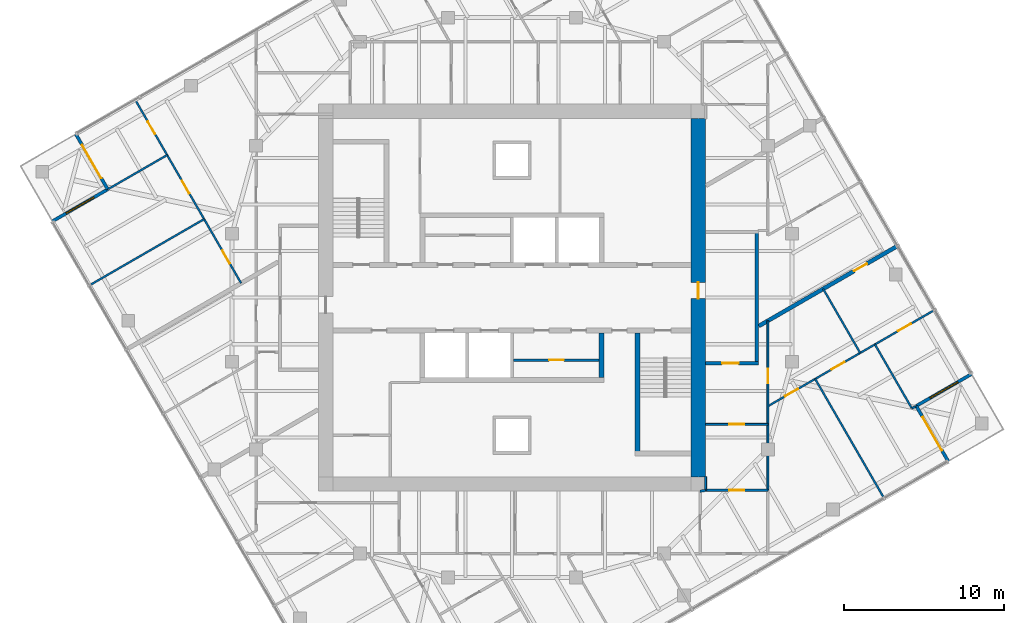
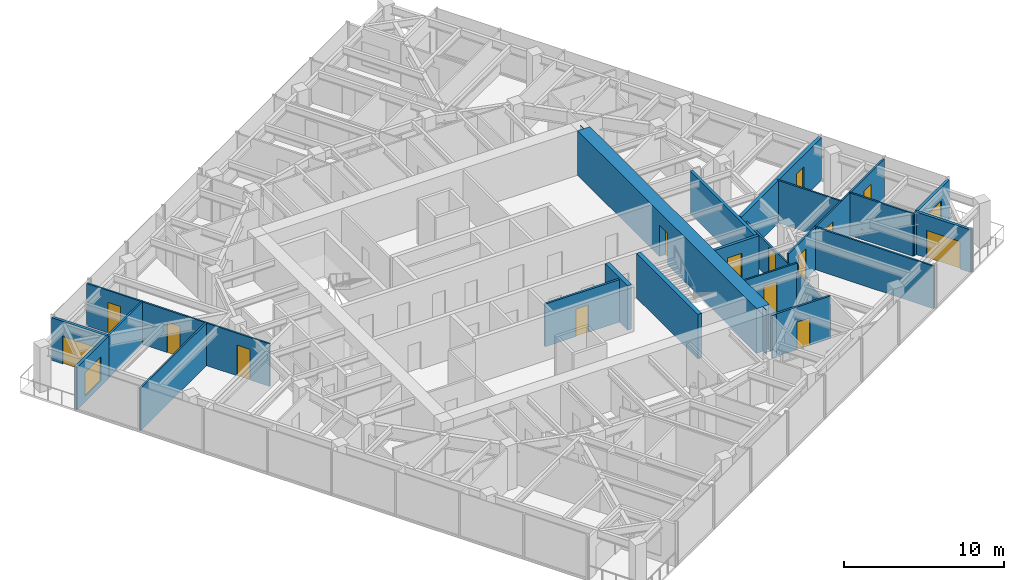
# One storey, part 9 of 12: 24 walls, 15 doors, 2 windows, 17 openings.
"""IFC4 building model written with IfcOpenShell, lengths in metres."""

from ifc_helpers import new_model, si_unit, direction, frame, frame_2d, origin, place, context, subcontext, project, spatial, polyline, rectangle, outline, extrude, material, layer, layer_set, type_object, element, fill, save


model = new_model("IFC4")

# Units and contexts
model_context = context("Model", 3, precision=1e-05, world=origin(), true_north=direction((0.0, 1.0)))
body_context = subcontext(model_context, "Body", "Model", "MODEL_VIEW")
ifc_project = project(units=[si_unit("LENGTHUNIT", "METRE"), si_unit("AREAUNIT", "SQUARE_METRE"), si_unit("VOLUMEUNIT", "CUBIC_METRE"), si_unit("PLANEANGLEUNIT", "RADIAN"), si_unit("MASSUNIT", "GRAM", prefix="KILO")], contexts=[model_context])

# Site, building, storey
site_placement = place(None, origin())
site = spatial("IfcSite", under=ifc_project, at=site_placement, CompositionType="ELEMENT")
building_placement = place(site_placement, origin())
building = spatial("IfcBuilding", under=site, at=building_placement, Name="Torsade Residences", CompositionType="ELEMENT")
storey_placement = place(building_placement, frame((0.0, 0.0, 218.39990234375)))
storey = spatial("IfcBuildingStorey", under=building, at=storey_placement, Name="L60", CompositionType="ELEMENT", Elevation=218.39990234375)

# Walls
ifc_material_1 = material(Name="Concrete 80 MPa", Category="concrete")
ifc_layer_1 = layer(ifc_material_1, 0.300048828125)
ifc_layer_set_1 = layer_set([ifc_layer_1], Name="Concrete 80 MPa")
wall_type_1 = type_object("IfcWallType", Name="CORE INTERNAL WALL 300", PredefinedType="SHEAR", material=ifc_layer_set_1)
wall_1_placement = place(storey_placement, frame((45.60009765625, 27.800048828125, 0.0), z_axis=(0.0, 0.0, 1.0), x_axis=(0.0, -1.0, 0.0)))
element("IfcWall", 1, at=wall_1_placement, inside=storey, type_object=wall_type_1, Name="Core wall DS0 L60", PredefinedType="SHEAR", context=body_context, shape_type="SweptSolid", body=[
    extrude(rectangle(XDim=2.800048828125, YDim=0.300048828125, at=frame_2d((1.39990234375, 0.0))), origin(), (0.0, 0.0, 1.0), 3.400146484375),
])
wall_2_placement = place(storey_placement, frame((47.85009765625, 27.800048828125, 0.0), z_axis=(0.0, 0.0, 1.0), x_axis=(0.0, -1.0, 0.0)))
element("IfcWall", 2, at=wall_2_placement, inside=storey, type_object=wall_type_1, Name="Core wall ST2W L60", PredefinedType="SHEAR", context=body_context, shape_type="SweptSolid", body=[
    extrude(rectangle(XDim=7.699951171875, YDim=0.300048828125, at=frame_2d((3.85009765625, 0.0))), origin(), (0.0, 0.0, 1.0), 3.400146484375),
])

# Wall, opening, door
ifc_material_2 = material(Name="Concrete 80 MPa", Category="concrete")
ifc_layer_2 = layer(ifc_material_2, 0.89990234375)
ifc_layer_set_2 = layer_set([ifc_layer_2], Name="Concrete 80 MPa")
wall_type_2 = type_object("IfcWallType", Name="CORE WALL 900", PredefinedType="SHEAR", material=ifc_layer_set_2)
wall_3_placement = place(storey_placement, frame((51.64990234375, 18.800048828125, 0.0), z_axis=(0.0, 0.0, 1.0), x_axis=(0.0, 1.0, 0.0)))
wall_3 = element("IfcWall", 3, at=wall_3_placement, inside=storey, type_object=wall_type_2, Name="Core wall E L60", PredefinedType="SHEAR", context=body_context, shape_type="SweptSolid", body=[
    extrude(outline(polyline([(0.0, -0.449951171875), (22.39990234375, -0.449951171875), (22.39990234375, -0.02490234375), (22.849853515625, -0.02490234375), (22.849853515625, 0.02490234375), (22.39990234375, 0.02490234375), (22.39990234375, 0.449951171875), (0.0, 0.449951171875), (0.0, 0.02490234375), (-0.449951171875, 0.02490234375), (-0.449951171875, -0.02490234375), (0.0, -0.02490234375), (0.0, -0.449951171875)])), origin(), (0.0, 0.0, 1.0), 3.400146484375),
])
opening_1_placement = place(wall_3_placement, frame((11.139892578125, 0.0, 0.0)))
opening_1 = element("IfcOpeningElement", 4, at=opening_1_placement, cuts=wall_3, Name="Opening D04", PredefinedType="OPENING", context=body_context, shape_type="SweptSolid", body=[
    extrude(rectangle(XDim=1.02001953125, YDim=2.39990234375, at=frame_2d((0.510009765625, 1.199951171875))), frame((0.0, 0.4599609375, 0.0), z_axis=(0.0, -1.0, 0.0), x_axis=(1.0, 0.0, 0.0)), (0.0, 0.0, 1.0), 0.919921875),
])
ifc_material_3 = material(Name="Steel-framed fire door", Category="steel")
door_type_1 = type_object("IfcDoorType", Name="LOBBY SMOKE DOOR 1020x2400", OperationType="NOTDEFINED", PredefinedType="DOOR", material=ifc_material_3)
door_1_placement = place(opening_1_placement, origin())
door_1 = element("IfcDoor", 5, at=door_1_placement, inside=storey, type_object=door_type_1, Name="Lift lobby door E L60", OperationType="SINGLE_SWING_LEFT", OverallHeight=2.39990234375, OverallWidth=1.02001953125, PredefinedType="DOOR", context=body_context, shape_type="SweptSolid", body=[
    extrude(rectangle(XDim=1.02001953125, YDim=2.39990234375, at=frame_2d((0.510009765625, 1.199951171875))), frame((0.0, 0.02490234375, 0.0), z_axis=(0.0, -1.0, 0.0), x_axis=(1.0, 0.0, 0.0)), (0.0, 0.0, 1.0), 0.050048828125),
])
fill(opening_1, door_1)

# Wall
ifc_material_4 = material(Name="Plasterboard on steel stud", Category="steel")
ifc_layer_3 = layer(ifc_material_4, 0.199951171875)
ifc_layer_set_3 = layer_set([ifc_layer_3], Name="Plasterboard on steel stud")
wall_type_3 = type_object("IfcWallType", Name="CORRIDOR WALL 200", PredefinedType="PARTITIONING", material=ifc_layer_set_3)
wall_4_placement = place(storey_placement, frame((55.300048828125, 25.89990234375, 0.0), z_axis=(0.0, 0.0, 1.0), x_axis=(0.0, 1.0, 0.0)))
element("IfcWall", 6, at=wall_4_placement, inside=storey, type_object=wall_type_3, Name="Corridor wall L60", PredefinedType="PARTITIONING", context=body_context, shape_type="SweptSolid", body=[
    extrude(rectangle(XDim=8.2001953125, YDim=0.199951171875, at=frame_2d((4.10009765625, 0.0))), origin(), (0.0, 0.0, 1.0), 3.25),
])

# Wall, opening, door
wall_5_placement = place(storey_placement, frame((52.10009765625, 25.89990234375, 0.0), z_axis=(0.0, 0.0, 1.0), x_axis=(1.0, 0.0, 0.0)))
wall_5 = element("IfcWall", 7, at=wall_5_placement, inside=storey, type_object=wall_type_3, Name="Corridor wall L60", PredefinedType="PARTITIONING", context=body_context, shape_type="SweptSolid", body=[
    extrude(rectangle(XDim=3.2998046875, YDim=0.199951171875, at=frame_2d((1.64990234375, 0.0))), origin(), (0.0, 0.0, 1.0), 3.25),
])
opening_2_placement = place(wall_5_placement, frame((1.0400390625, 0.0, 0.0)))
opening_2 = element("IfcOpeningElement", 8, at=opening_2_placement, cuts=wall_5, Name="Opening D01", PredefinedType="OPENING", context=body_context, shape_type="SweptSolid", body=[
    extrude(rectangle(XDim=1.02001953125, YDim=2.340087890625, at=frame_2d((0.510009765625, 1.169921875))), frame((0.0, 0.10986328125, 0.0), z_axis=(0.0, -1.0, 0.0), x_axis=(1.0, 0.0, 0.0)), (0.0, 0.0, 1.0), 0.219970703125),
])
ifc_material_5 = material(Name="Solid-core timber fire door", Category="wood")
door_type_2 = type_object("IfcDoorType", Name="APARTMENT ENTRY DOOR 1020x2340", OperationType="NOTDEFINED", PredefinedType="DOOR", material=ifc_material_5)
door_2_placement = place(opening_2_placement, origin())
door_2 = element("IfcDoor", 9, at=door_2_placement, inside=storey, type_object=door_type_2, Name="Door Residential corridor to Kitchen and dining", OperationType="SINGLE_SWING_LEFT", OverallHeight=2.340087890625, OverallWidth=1.02001953125, PredefinedType="DOOR", context=body_context, shape_type="SweptSolid", body=[
    extrude(rectangle(XDim=1.02001953125, YDim=2.340087890625, at=frame_2d((0.510009765625, 1.169921875))), frame((0.0, 0.02490234375, 0.0), z_axis=(0.0, -1.0, 0.0), x_axis=(1.0, 0.0, 0.0)), (0.0, 0.0, 1.0), 0.050048828125),
])
fill(opening_2, door_2)

ifc_material_6 = material(Name="Plasterboard on steel stud", Category="steel")
ifc_layer_4 = layer(ifc_material_6, 0.1201171875)
ifc_layer_set_4 = layer_set([ifc_layer_4], Name="Plasterboard on steel stud")
wall_type_4 = type_object("IfcWallType", Name="PARTITION 120", PredefinedType="PARTITIONING", material=ifc_layer_set_4)
wall_6_placement = place(storey_placement, frame((56.0, 22.08251953125, 0.0), z_axis=(0.0, 0.0, 1.0), x_axis=(-1.0, 0.0, 0.0)))
wall_6 = element("IfcWall", 10, at=wall_6_placement, inside=storey, type_object=wall_type_4, Name="Partition L60", PredefinedType="PARTITIONING", context=body_context, shape_type="SweptSolid", body=[
    extrude(rectangle(XDim=3.89990234375, YDim=0.1201171875, at=frame_2d((1.949951171875, 0.0))), origin(), (0.0, 0.0, 1.0), 3.25),
])
opening_3_placement = place(wall_6_placement, frame((1.489990234375, 0.0, 0.0)))
opening_3 = element("IfcOpeningElement", 11, at=opening_3_placement, cuts=wall_6, Name="Opening D02", PredefinedType="OPENING", context=body_context, shape_type="SweptSolid", body=[
    extrude(rectangle(XDim=0.919921875, YDim=2.340087890625, at=frame_2d((0.4599609375, 1.169921875))), frame((0.0, 0.070068359375, 0.0), z_axis=(0.0, -1.0, 0.0), x_axis=(1.0, 0.0, 0.0)), (0.0, 0.0, 1.0), 0.14013671875),
])
ifc_material_7 = material(Name="Hollow-core timber door", Category="wood")
door_type_3 = type_object("IfcDoorType", Name="INTERNAL DOOR 920x2340", OperationType="NOTDEFINED", PredefinedType="DOOR", material=ifc_material_7)
door_3_placement = place(opening_3_placement, origin())
door_3 = element("IfcDoor", 12, at=door_3_placement, inside=storey, type_object=door_type_3, Name="Door Kitchen and dining to Study", OperationType="SINGLE_SWING_LEFT", OverallHeight=2.340087890625, OverallWidth=0.919921875, PredefinedType="DOOR", context=body_context, shape_type="SweptSolid", body=[
    extrude(rectangle(XDim=0.919921875, YDim=2.340087890625, at=frame_2d((0.4599609375, 1.169921875))), frame((0.0, 0.02490234375, 0.0), z_axis=(0.0, -1.0, 0.0), x_axis=(1.0, 0.0, 0.0)), (0.0, 0.0, 1.0), 0.050048828125),
])
fill(opening_3, door_3)

wall_7_placement = place(storey_placement, frame((56.0, 28.556640625, 0.0), z_axis=(0.0, 0.0, 1.0), x_axis=(0.0, -1.0, 0.0)))
wall_7 = element("IfcWall", 13, at=wall_7_placement, inside=storey, type_object=wall_type_4, Name="Partition L60", PredefinedType="PARTITIONING", context=body_context, shape_type="SweptSolid", body=[
    extrude(rectangle(XDim=10.6005859375, YDim=0.1201171875, at=frame_2d((5.30029296875, 0.0))), origin(), (0.0, 0.0, 1.0), 2.550048828125),
])
opening_4_placement = place(wall_7_placement, frame((2.989013671875, 0.0, 0.0)))
opening_4 = element("IfcOpeningElement", 14, at=opening_4_placement, cuts=wall_7, Name="Opening D02", PredefinedType="OPENING", context=body_context, shape_type="SweptSolid", body=[
    extrude(rectangle(XDim=0.919921875, YDim=2.340087890625, at=frame_2d((0.4599609375, 1.169921875))), frame((0.0, 0.070068359375, 0.0), z_axis=(0.0, -1.0, 0.0), x_axis=(1.0, 0.0, 0.0)), (0.0, 0.0, 1.0), 0.14013671875),
])
door_4_placement = place(opening_4_placement, origin())
door_4 = element("IfcDoor", 15, at=door_4_placement, inside=storey, type_object=door_type_3, Name="Door Kitchen and dining to Living room 2", OperationType="SINGLE_SWING_RIGHT", OverallHeight=2.340087890625, OverallWidth=0.919921875, PredefinedType="DOOR", context=body_context, shape_type="SweptSolid", body=[
    extrude(rectangle(XDim=0.919921875, YDim=2.340087890625, at=frame_2d((0.4599609375, 1.169921875))), frame((0.0, 0.02490234375, 0.0), z_axis=(0.0, -1.0, 0.0), x_axis=(1.0, 0.0, 0.0)), (0.0, 0.0, 1.0), 0.050048828125),
])
fill(opening_4, door_4)

# Walls
wall_8_placement = place(storey_placement, frame((52.10009765625, 17.9560546875, 0.0), z_axis=(0.0, 0.0, 1.0), x_axis=(0.0, 1.0, 0.0)))
element("IfcWall", 16, at=wall_8_placement, inside=storey, type_object=wall_type_4, Name="Partition L60", PredefinedType="PARTITIONING", context=body_context, shape_type="SweptSolid", body=[
    extrude(rectangle(XDim=0.864013671875, YDim=0.1201171875, at=frame_2d((0.43212890625, 0.0))), origin(), (0.0, 0.0, 1.0), 3.25),
])
wall_9_placement = place(storey_placement, frame((58.95361328125, 24.92138671875, 0.0), z_axis=(0.0, 0.0, 1.0), x_axis=(0.49999898161, -0.866025991751, 0.0)))
element("IfcWall", 17, at=wall_9_placement, inside=storey, type_object=wall_type_4, Name="Partition L60", PredefinedType="PARTITIONING", context=body_context, shape_type="SweptSolid", body=[
    extrude(rectangle(XDim=8.5849609375, YDim=0.1201171875, at=frame_2d((4.29248046875, 0.0))), origin(), (0.0, 0.0, 1.0), 3.25),
])

# Wall, openings, doors
wall_10_placement = place(storey_placement, frame((56.0, 23.216064453125, 0.0), z_axis=(0.0, 0.0, 1.0), x_axis=(0.866023917076, 0.500002575046, 0.0)))
wall_10 = element("IfcWall", 18, at=wall_10_placement, inside=storey, type_object=wall_type_4, Name="Partition L60", PredefinedType="PARTITIONING", context=body_context, shape_type="SweptSolid", body=[
    extrude(rectangle(XDim=11.99560546875, YDim=0.1201171875, at=frame_2d((5.997802734375, 0.0))), origin(), (0.0, 0.0, 1.0), 3.25),
])
opening_5_placement = place(wall_10_placement, frame((1.245361328125, 0.0, 0.0)))
opening_5 = element("IfcOpeningElement", 19, at=opening_5_placement, cuts=wall_10, Name="Opening D02", PredefinedType="OPENING", context=body_context, shape_type="SweptSolid", body=[
    extrude(rectangle(XDim=0.919921875, YDim=2.340087890625, at=frame_2d((0.4599609375, 1.169921875))), frame((0.0, 0.070068359375, 0.0), z_axis=(0.0, -1.0, 0.0), x_axis=(1.0, 0.0, 0.0)), (0.0, 0.0, 1.0), 0.14013671875),
])
opening_6_placement = place(wall_10_placement, frame((4.59912109375, 0.0, 0.0)))
opening_6 = element("IfcOpeningElement", 20, at=opening_6_placement, cuts=wall_10, Name="Opening D02", PredefinedType="OPENING", context=body_context, shape_type="SweptSolid", body=[
    extrude(rectangle(XDim=0.919921875, YDim=2.340087890625, at=frame_2d((0.4599609375, 1.169921875))), frame((0.0, 0.070068359375, 0.0), z_axis=(0.0, -1.0, 0.0), x_axis=(1.0, 0.0, 0.0)), (0.0, 0.0, 1.0), 0.14013671875),
])
opening_7_placement = place(wall_10_placement, frame((9.394287109375, 0.0, 0.0)))
opening_7 = element("IfcOpeningElement", 21, at=opening_7_placement, cuts=wall_10, Name="Opening D02", PredefinedType="OPENING", context=body_context, shape_type="SweptSolid", body=[
    extrude(rectangle(XDim=0.919921875, YDim=2.340087890625, at=frame_2d((0.4599609375, 1.169921875))), frame((0.0, 0.070068359375, 0.0), z_axis=(0.0, -1.0, 0.0), x_axis=(1.0, 0.0, 0.0)), (0.0, 0.0, 1.0), 0.14013671875),
])
door_5_placement = place(opening_5_placement, origin())
door_5 = element("IfcDoor", 22, at=door_5_placement, inside=storey, type_object=door_type_3, Name="Door Living room 2 to Principal bedroom", OperationType="SINGLE_SWING_RIGHT", OverallHeight=2.340087890625, OverallWidth=0.919921875, PredefinedType="DOOR", context=body_context, shape_type="SweptSolid", body=[
    extrude(rectangle(XDim=0.919921875, YDim=2.340087890625, at=frame_2d((0.4599609375, 1.169921875))), frame((0.0, 0.02490234375, 0.0), z_axis=(0.0, -1.0, 0.0), x_axis=(1.0, 0.0, 0.0)), (0.0, 0.0, 1.0), 0.050048828125),
])
fill(opening_5, door_5)
door_6_placement = place(opening_6_placement, origin())
door_6 = element("IfcDoor", 23, at=door_6_placement, inside=storey, type_object=door_type_3, Name="Door Living room 2 to Bedroom 2", OperationType="SINGLE_SWING_RIGHT", OverallHeight=2.340087890625, OverallWidth=0.919921875, PredefinedType="DOOR", context=body_context, shape_type="SweptSolid", body=[
    extrude(rectangle(XDim=0.919921875, YDim=2.340087890625, at=frame_2d((0.4599609375, 1.169921875))), frame((0.0, 0.02490234375, 0.0), z_axis=(0.0, -1.0, 0.0), x_axis=(1.0, 0.0, 0.0)), (0.0, 0.0, 1.0), 0.050048828125),
])
fill(opening_6, door_6)
door_7_placement = place(opening_7_placement, origin())
door_7 = element("IfcDoor", 24, at=door_7_placement, inside=storey, type_object=door_type_3, Name="Door Study 2 to Media room 2", OperationType="SINGLE_SWING_LEFT", OverallHeight=2.340087890625, OverallWidth=0.919921875, PredefinedType="DOOR", context=body_context, shape_type="SweptSolid", body=[
    extrude(rectangle(XDim=0.919921875, YDim=2.340087890625, at=frame_2d((0.4599609375, 1.169921875))), frame((0.0, 0.02490234375, 0.0), z_axis=(0.0, -1.0, 0.0), x_axis=(1.0, 0.0, 0.0)), (0.0, 0.0, 1.0), 0.050048828125),
])
fill(opening_7, door_7)

# Walls
wall_11_placement = place(storey_placement, frame((62.688232421875, 27.07763671875, 0.0), z_axis=(0.0, 0.0, 1.0), x_axis=(0.500007885066, -0.866020851292, 0.0)))
element("IfcWall", 25, at=wall_11_placement, inside=storey, type_object=wall_type_4, Name="Partition L60", PredefinedType="PARTITIONING", context=body_context, shape_type="SweptSolid", body=[
    extrude(rectangle(XDim=4.615234375, YDim=0.1201171875, at=frame_2d((2.3076171875, 0.0))), origin(), (0.0, 0.0, 1.0), 3.25),
])
wall_12_placement = place(storey_placement, frame((65.009521484375, 23.0771484375, 0.0), z_axis=(0.0, 0.0, 1.0), x_axis=(0.865829262097, 0.500339573586, 0.0)))
element("IfcWall", 26, at=wall_12_placement, inside=storey, type_object=wall_type_4, Name="Partition L60", PredefinedType="PARTITIONING", context=body_context, shape_type="SweptSolid", body=[
    extrude(rectangle(XDim=0.262451171875, YDim=0.1201171875, at=frame_2d((0.13134765625, 0.0))), origin(), (0.0, 0.0, 1.0), 3.25),
])
wall_13_placement = place(storey_placement, frame((61.765625, 26.544921875, 0.0), z_axis=(0.0, 0.0, 1.0), x_axis=(-0.499999662836, 0.866025598446, 0.0)))
element("IfcWall", 27, at=wall_13_placement, inside=storey, type_object=wall_type_4, Name="Partition L60", PredefinedType="PARTITIONING", context=body_context, shape_type="SweptSolid", body=[
    extrude(rectangle(XDim=4.625, YDim=0.1201171875, at=frame_2d((2.3125, 0.0))), origin(), (0.0, 0.0, 1.0), 3.25),
])

# Wall, openings, doors
wall_14_placement = place(storey_placement, frame((23.06689453125, 30.904541015625, 0.0), z_axis=(0.0, 0.0, 1.0), x_axis=(-0.499999220117, 0.86602585405, 0.0)))
wall_14 = element("IfcWall", 28, at=wall_14_placement, inside=storey, type_object=wall_type_4, Name="Partition L60", PredefinedType="PARTITIONING", context=body_context, shape_type="SweptSolid", body=[
    extrude(rectangle(XDim=13.2099609375, YDim=0.1201171875, at=frame_2d((6.60498046875, 0.0))), origin(), (0.0, 0.0, 1.0), 3.25),
])
opening_8_placement = place(wall_14_placement, frame((6.4775390625, 0.0, 0.0)))
opening_8 = element("IfcOpeningElement", 29, at=opening_8_placement, cuts=wall_14, Name="Opening D02", PredefinedType="OPENING", context=body_context, shape_type="SweptSolid", body=[
    extrude(rectangle(XDim=0.919921875, YDim=2.340087890625, at=frame_2d((0.4599609375, 1.169921875))), frame((0.0, 0.070068359375, 0.0), z_axis=(0.0, -1.0, 0.0), x_axis=(1.0, 0.0, 0.0)), (0.0, 0.0, 1.0), 0.14013671875),
])
opening_9_placement = place(wall_14_placement, frame((1.427490234375, 0.0, 0.0)))
opening_9 = element("IfcOpeningElement", 30, at=opening_9_placement, cuts=wall_14, Name="Opening D02", PredefinedType="OPENING", context=body_context, shape_type="SweptSolid", body=[
    extrude(rectangle(XDim=0.919921875, YDim=2.340087890625, at=frame_2d((0.4599609375, 1.169921875))), frame((0.0, 0.070068359375, 0.0), z_axis=(0.0, -1.0, 0.0), x_axis=(1.0, 0.0, 0.0)), (0.0, 0.0, 1.0), 0.14013671875),
])
opening_10_placement = place(wall_14_placement, frame((10.76513671875, 0.0, 0.0)))
opening_10 = element("IfcOpeningElement", 31, at=opening_10_placement, cuts=wall_14, Name="Opening D02", PredefinedType="OPENING", context=body_context, shape_type="SweptSolid", body=[
    extrude(rectangle(XDim=0.919921875, YDim=2.340087890625, at=frame_2d((0.4599609375, 1.169921875))), frame((0.0, 0.070068359375, 0.0), z_axis=(0.0, -1.0, 0.0), x_axis=(1.0, 0.0, 0.0)), (0.0, 0.0, 1.0), 0.14013671875),
])
door_8_placement = place(opening_8_placement, origin())
door_8 = element("IfcDoor", 32, at=door_8_placement, inside=storey, type_object=door_type_3, Name="Door Living room to Bedroom 4", OperationType="SINGLE_SWING_RIGHT", OverallHeight=2.340087890625, OverallWidth=0.919921875, PredefinedType="DOOR", context=body_context, shape_type="SweptSolid", body=[
    extrude(rectangle(XDim=0.919921875, YDim=2.340087890625, at=frame_2d((0.4599609375, 1.169921875))), frame((0.0, 0.02490234375, 0.0), z_axis=(0.0, -1.0, 0.0), x_axis=(1.0, 0.0, 0.0)), (0.0, 0.0, 1.0), 0.050048828125),
])
fill(opening_8, door_8)
door_9_placement = place(opening_9_placement, origin())
door_9 = element("IfcDoor", 33, at=door_9_placement, inside=storey, type_object=door_type_3, Name="Door Living room to Bedroom 3", OperationType="SINGLE_SWING_LEFT", OverallHeight=2.340087890625, OverallWidth=0.919921875, PredefinedType="DOOR", context=body_context, shape_type="SweptSolid", body=[
    extrude(rectangle(XDim=0.919921875, YDim=2.340087890625, at=frame_2d((0.4599609375, 1.169921875))), frame((0.0, 0.02490234375, 0.0), z_axis=(0.0, -1.0, 0.0), x_axis=(1.0, 0.0, 0.0)), (0.0, 0.0, 1.0), 0.050048828125),
])
fill(opening_9, door_9)
door_10_placement = place(opening_10_placement, origin())
door_10 = element("IfcDoor", 34, at=door_10_placement, inside=storey, type_object=door_type_3, Name="Door Living room to Family room 2", OperationType="SINGLE_SWING_LEFT", OverallHeight=2.340087890625, OverallWidth=0.919921875, PredefinedType="DOOR", context=body_context, shape_type="SweptSolid", body=[
    extrude(rectangle(XDim=0.919921875, YDim=2.340087890625, at=frame_2d((0.4599609375, 1.169921875))), frame((0.0, 0.02490234375, 0.0), z_axis=(0.0, -1.0, 0.0), x_axis=(1.0, 0.0, 0.0)), (0.0, 0.0, 1.0), 0.050048828125),
])
fill(opening_10, door_10)

# Walls
wall_15_placement = place(storey_placement, frame((13.611572265625, 30.7861328125, 0.0), z_axis=(0.0, 0.0, 1.0), x_axis=(0.866032284491, 0.499988082077, 0.0)))
element("IfcWall", 35, at=wall_15_placement, inside=storey, type_object=wall_type_4, Name="Partition L60", PredefinedType="PARTITIONING", context=body_context, shape_type="SweptSolid", body=[
    extrude(rectangle(XDim=8.247802734375, YDim=0.1201171875, at=frame_2d((4.1240234375, 0.0))), origin(), (0.0, 0.0, 1.0), 3.25),
])
wall_16_placement = place(storey_placement, frame((14.76318359375, 36.79150390625, 0.0), z_axis=(0.0, 0.0, 1.0), x_axis=(0.86603819212, 0.4999778493, 0.0)))
element("IfcWall", 36, at=wall_16_placement, inside=storey, type_object=wall_type_4, Name="Partition L60", PredefinedType="PARTITIONING", context=body_context, shape_type="SweptSolid", body=[
    extrude(rectangle(XDim=4.247802734375, YDim=0.1201171875, at=frame_2d((2.1240234375, 0.0))), origin(), (0.0, 0.0, 1.0), 3.25),
])

# Wall, opening, door
ifc_material_8 = material(Name="Masonry-lined stud party wall", Category="masonry")
ifc_layer_5 = layer(ifc_material_8, 0.25)
ifc_layer_set_5 = layer_set([ifc_layer_5], Name="Masonry-lined stud party wall")
wall_type_5 = type_object("IfcWallType", Name="PARTY WALL 250", PredefinedType="PARTITIONING", material=ifc_layer_set_5)
wall_17_placement = place(storey_placement, frame((64.110595703125, 33.2392578125, 0.0), z_axis=(0.0, 0.0, 1.0), x_axis=(-0.866024190901, -0.50000210077, 0.0)))
wall_17 = element("IfcWall", 37, at=wall_17_placement, inside=storey, type_object=wall_type_5, Name="Party wall L60", PredefinedType="PARTITIONING", context=body_context, shape_type="SweptSolid", body=[
    extrude(rectangle(XDim=10.02587890625, YDim=0.25, at=frame_2d((5.012939453125, 0.0))), origin(), (0.0, 0.0, 1.0), 3.25),
])
opening_11_placement = place(wall_17_placement, frame((2.22900390625, 0.0, 0.0)))
opening_11 = element("IfcOpeningElement", 38, at=opening_11_placement, cuts=wall_17, Name="Opening D02", PredefinedType="OPENING", context=body_context, shape_type="SweptSolid", body=[
    extrude(rectangle(XDim=0.919921875, YDim=2.340087890625, at=frame_2d((0.4599609375, 1.169921875))), frame((0.0, 0.135009765625, 0.0), z_axis=(0.0, -1.0, 0.0), x_axis=(1.0, 0.0, 0.0)), (0.0, 0.0, 1.0), 0.27001953125),
])
door_11_placement = place(opening_11_placement, origin())
door_11 = element("IfcDoor", 39, at=door_11_placement, inside=storey, type_object=door_type_3, Name="Door Living room 2 to Study 2", OperationType="SINGLE_SWING_RIGHT", OverallHeight=2.340087890625, OverallWidth=0.919921875, PredefinedType="DOOR", context=body_context, shape_type="SweptSolid", body=[
    extrude(rectangle(XDim=0.919921875, YDim=2.340087890625, at=frame_2d((0.4599609375, 1.169921875))), frame((0.0, 0.02490234375, 0.0), z_axis=(0.0, -1.0, 0.0), x_axis=(1.0, 0.0, 0.0)), (0.0, 0.0, 1.0), 0.050048828125),
])
fill(opening_11, door_11)

ifc_material_9 = material(Name="Reinforced blockwork", Category="masonry")
ifc_layer_6 = layer(ifc_material_9, 0.14990234375)
ifc_layer_set_6 = layer_set([ifc_layer_6], Name="Reinforced blockwork")
wall_type_6 = type_object("IfcWallType", Name="SERVICE ROOM WALL 150", PredefinedType="SOLIDWALL", material=ifc_layer_set_6)
wall_18_placement = place(storey_placement, frame((56.0, 17.9560546875, 0.0), z_axis=(0.0, 0.0, 1.0), x_axis=(-1.0, 0.0, 0.0)))
wall_18 = element("IfcWall", 40, at=wall_18_placement, inside=storey, type_object=wall_type_6, Name="Service room wall L60", PredefinedType="SOLIDWALL", context=body_context, shape_type="SweptSolid", body=[
    extrude(rectangle(XDim=3.89990234375, YDim=0.14990234375, at=frame_2d((1.949951171875, 0.0))), origin(), (0.0, 0.0, 1.0), 3.25),
])
opening_12_placement = place(wall_18_placement, frame((1.489990234375, 0.0, 0.0)))
opening_12 = element("IfcOpeningElement", 41, at=opening_12_placement, cuts=wall_18, Name="Opening D02L", PredefinedType="OPENING", context=body_context, shape_type="SweptSolid", body=[
    extrude(rectangle(XDim=0.919921875, YDim=2.10009765625, at=frame_2d((0.4599609375, 1.050048828125))), frame((0.0, 0.0849609375, 0.0), z_axis=(0.0, -1.0, 0.0), x_axis=(1.0, 0.0, 0.0)), (0.0, 0.0, 1.0), 0.169921875),
])
ifc_material_10 = material(Name="Hollow-core timber door", Category="wood")
door_type_4 = type_object("IfcDoorType", Name="INTERNAL DOOR 920x2100", OperationType="NOTDEFINED", PredefinedType="DOOR", material=ifc_material_10)
door_12_placement = place(opening_12_placement, origin())
door_12 = element("IfcDoor", 42, at=door_12_placement, inside=storey, type_object=door_type_4, Name="Door Study to Linen store", OperationType="SINGLE_SWING_LEFT", OverallHeight=2.10009765625, OverallWidth=0.919921875, PredefinedType="DOOR", context=body_context, shape_type="SweptSolid", body=[
    extrude(rectangle(XDim=0.919921875, YDim=2.10009765625, at=frame_2d((0.4599609375, 1.050048828125))), frame((0.0, 0.02490234375, 0.0), z_axis=(0.0, -1.0, 0.0), x_axis=(1.0, 0.0, 0.0)), (0.0, 0.0, 1.0), 0.050048828125),
])
fill(opening_12, door_12)

# Wall
wall_19_placement = place(storey_placement, frame((51.757080078125, 17.89990234375, 0.0), z_axis=(0.0, 0.0, 1.0), x_axis=(0.986864404584, 0.161550756622, 0.0)))
element("IfcWall", 43, at=wall_19_placement, inside=storey, type_object=wall_type_6, Name="Service room wall L60", PredefinedType="SOLIDWALL", context=body_context, shape_type="SweptSolid", body=[
    extrude(rectangle(XDim=0.34765625, YDim=0.14990234375, at=frame_2d((0.173828125, 0.0))), origin(), (0.0, 0.0, 1.0), 3.25),
])

# Wall, opening, door
wall_20_placement = place(storey_placement, frame((40.10009765625, 26.10009765625, 0.0), z_axis=(0.0, 0.0, 1.0), x_axis=(1.0, 0.0, 0.0)))
wall_20 = element("IfcWall", 44, at=wall_20_placement, inside=storey, type_object=wall_type_6, Name="Service room wall L60", PredefinedType="SOLIDWALL", context=body_context, shape_type="SweptSolid", body=[
    extrude(rectangle(XDim=5.349853515625, YDim=0.14990234375, at=frame_2d((2.6748046875, 0.0))), origin(), (0.0, 0.0, 1.0), 3.25),
])
opening_13_placement = place(wall_20_placement, frame((2.215087890625, 0.0, 0.0)))
opening_13 = element("IfcOpeningElement", 45, at=opening_13_placement, cuts=wall_20, Name="Opening D06", PredefinedType="OPENING", context=body_context, shape_type="SweptSolid", body=[
    extrude(rectangle(XDim=0.919921875, YDim=2.10009765625, at=frame_2d((0.4599609375, 1.050048828125))), frame((0.0, 0.0849609375, 0.0), z_axis=(0.0, -1.0, 0.0), x_axis=(1.0, 0.0, 0.0)), (0.0, 0.0, 1.0), 0.169921875),
])
ifc_material_11 = material(Name="Steel-framed fire door", Category="steel")
door_type_5 = type_object("IfcDoorType", Name="FIRE DOOR 920", OperationType="NOTDEFINED", PredefinedType="DOOR", material=ifc_material_11)
door_13_placement = place(opening_13_placement, origin())
door_13 = element("IfcDoor", 46, at=door_13_placement, inside=storey, type_object=door_type_5, Name="Door Cleaners store L60C to Equipment store L60D", OperationType="SINGLE_SWING_LEFT", OverallHeight=2.10009765625, OverallWidth=0.919921875, PredefinedType="DOOR", context=body_context, shape_type="SweptSolid", body=[
    extrude(rectangle(XDim=0.919921875, YDim=2.10009765625, at=frame_2d((0.4599609375, 1.050048828125))), frame((0.0, 0.02490234375, 0.0), z_axis=(0.0, -1.0, 0.0), x_axis=(1.0, 0.0, 0.0)), (0.0, 0.0, 1.0), 0.050048828125),
])
fill(opening_13, door_13)

ifc_material_12 = material(Name="Stone-faced precast concrete 40 MPa panel", Category="masonry")
ifc_layer_7 = layer(ifc_material_12, 0.199951171875)
ifc_layer_set_7 = layer_set([ifc_layer_7], Name="Stone-faced precast concrete 40 MPa panel")
wall_type_7 = type_object("IfcWallType", Name="TERRACE WALL 200", PredefinedType="SOLIDWALL", material=ifc_layer_set_7)
wall_21_placement = place(storey_placement, frame((67.271484375, 19.764404296875, 0.0), z_axis=(0.0, 0.0, 1.0), x_axis=(-0.49999894854, 0.866026010844, 0.0)))
wall_21 = element("IfcWall", 47, at=wall_21_placement, inside=storey, type_object=wall_type_7, Name="Terrace wall L60 2", PredefinedType="SOLIDWALL", context=body_context, shape_type="SweptSolid", body=[
    extrude(rectangle(XDim=4.0, YDim=0.199951171875, at=frame_2d((2.0, 0.0))), origin(), (0.0, 0.0, 1.0), 3.25),
])
opening_14_placement = place(wall_21_placement, frame((0.800048828125, 0.0, 0.0)))
opening_14 = element("IfcOpeningElement", 48, at=opening_14_placement, cuts=wall_21, Name="Opening D10A", PredefinedType="OPENING", context=body_context, shape_type="SweptSolid", body=[
    extrude(rectangle(XDim=2.39990234375, YDim=2.10009765625, at=frame_2d((1.199951171875, 1.050048828125))), frame((0.0, 0.10986328125, 0.0), z_axis=(0.0, -1.0, 0.0), x_axis=(1.0, 0.0, 0.0)), (0.0, 0.0, 1.0), 0.219970703125),
])
ifc_material_13 = material(Name="Aluminium-framed glass door", Category="aluminium")
door_type_6 = type_object("IfcDoorType", Name="TERRACE SLIDING DOOR 2400x2100", OperationType="SLIDING_TO_LEFT", PredefinedType="DOOR", material=ifc_material_13)
door_14_placement = place(opening_14_placement, origin())
door_14 = element("IfcDoor", 49, at=door_14_placement, inside=storey, type_object=door_type_6, Name="Terrace door L60 2", OperationType="SLIDING_TO_LEFT", OverallHeight=2.10009765625, OverallWidth=2.39990234375, PredefinedType="DOOR", context=body_context, shape_type="SweptSolid", body=[
    extrude(rectangle(XDim=2.39990234375, YDim=2.10009765625, at=frame_2d((1.199951171875, 1.050048828125))), frame((0.0, 0.02490234375, 0.0), z_axis=(0.0, -1.0, 0.0), x_axis=(1.0, 0.0, 0.0)), (0.0, 0.0, 1.0), 0.050048828125),
])
fill(opening_14, door_14)

# Wall, opening, window
wall_22_placement = place(storey_placement, frame((65.271484375, 23.228515625, 0.0), z_axis=(0.0, 0.0, 1.0), x_axis=(0.866026010844, 0.49999894854, 0.0)))
wall_22 = element("IfcWall", 50, at=wall_22_placement, inside=storey, type_object=wall_type_7, Name="Terrace wall L60 3", PredefinedType="SOLIDWALL", context=body_context, shape_type="SweptSolid", body=[
    extrude(rectangle(XDim=4.0, YDim=0.199951171875, at=frame_2d((2.0, 0.0))), origin(), (0.0, 0.0, 1.0), 3.25),
])
opening_15_placement = place(wall_22_placement, frame((1.0, 0.0, 0.449951171875)))
opening_15 = element("IfcOpeningElement", 51, at=opening_15_placement, cuts=wall_22, Name="Opening W1B", PredefinedType="OPENING", context=body_context, shape_type="SweptSolid", body=[
    extrude(rectangle(XDim=2.0, YDim=1.800048828125, at=frame_2d((1.0, 0.89990234375))), frame((0.0, 0.10986328125, 0.0), z_axis=(0.0, -1.0, 0.0), x_axis=(1.0, 0.0, 0.0)), (0.0, 0.0, 1.0), 0.219970703125),
])
ifc_material_14 = material(Name="Aluminium-framed glass window", Category="aluminium")
window_type = type_object("IfcWindowType", Name="TERRACE WINDOW 2000x1800", PartitioningType="SINGLE_PANEL", PredefinedType="WINDOW", material=ifc_material_14)
window_1_placement = place(opening_15_placement, origin())
window_1 = element("IfcWindow", 52, at=window_1_placement, inside=storey, type_object=window_type, Name="Terrace window L60 3", OverallHeight=1.800048828125, OverallWidth=2.0, PartitioningType="SINGLE_PANEL", PredefinedType="WINDOW", context=body_context, shape_type="SweptSolid", body=[
    extrude(rectangle(XDim=2.0, YDim=1.800048828125, at=frame_2d((1.0, 0.89990234375))), frame((0.0, 0.030029296875, 0.0), z_axis=(0.0, -1.0, 0.0), x_axis=(1.0, 0.0, 0.0)), (0.0, 0.0, 1.0), 0.06005859375),
])
fill(opening_15, window_1)

# Wall, opening, door
wall_23_placement = place(storey_placement, frame((12.728515625, 40.235595703125, 0.0), z_axis=(0.0, 0.0, 1.0), x_axis=(0.49999894854, -0.866026010844, 0.0)))
wall_23 = element("IfcWall", 53, at=wall_23_placement, inside=storey, type_object=wall_type_7, Name="Terrace wall L60 8", PredefinedType="SOLIDWALL", context=body_context, shape_type="SweptSolid", body=[
    extrude(rectangle(XDim=4.0, YDim=0.199951171875, at=frame_2d((2.0, 0.0))), origin(), (0.0, 0.0, 1.0), 3.25),
])
opening_16_placement = place(wall_23_placement, frame((0.800048828125, 0.0, 0.0)))
opening_16 = element("IfcOpeningElement", 54, at=opening_16_placement, cuts=wall_23, Name="Opening D10A", PredefinedType="OPENING", context=body_context, shape_type="SweptSolid", body=[
    extrude(rectangle(XDim=2.39990234375, YDim=2.10009765625, at=frame_2d((1.199951171875, 1.050048828125))), frame((0.0, 0.10986328125, 0.0), z_axis=(0.0, -1.0, 0.0), x_axis=(1.0, 0.0, 0.0)), (0.0, 0.0, 1.0), 0.219970703125),
])
door_15_placement = place(opening_16_placement, origin())
door_15 = element("IfcDoor", 55, at=door_15_placement, inside=storey, type_object=door_type_6, Name="Terrace door L60 8", OperationType="SLIDING_TO_LEFT", OverallHeight=2.10009765625, OverallWidth=2.39990234375, PredefinedType="DOOR", context=body_context, shape_type="SweptSolid", body=[
    extrude(rectangle(XDim=2.39990234375, YDim=2.10009765625, at=frame_2d((1.199951171875, 1.050048828125))), frame((0.0, 0.02490234375, 0.0), z_axis=(0.0, -1.0, 0.0), x_axis=(1.0, 0.0, 0.0)), (0.0, 0.0, 1.0), 0.050048828125),
])
fill(opening_16, door_15)

# Wall, opening, window
wall_24_placement = place(storey_placement, frame((14.728515625, 36.771484375, 0.0), z_axis=(0.0, 0.0, 1.0), x_axis=(-0.866026010844, -0.49999894854, 0.0)))
wall_24 = element("IfcWall", 56, at=wall_24_placement, inside=storey, type_object=wall_type_7, Name="Terrace wall L60 9", PredefinedType="SOLIDWALL", context=body_context, shape_type="SweptSolid", body=[
    extrude(rectangle(XDim=4.0, YDim=0.199951171875, at=frame_2d((2.0, 0.0))), origin(), (0.0, 0.0, 1.0), 3.25),
])
opening_17_placement = place(wall_24_placement, frame((1.0, 0.0, 0.449951171875)))
opening_17 = element("IfcOpeningElement", 57, at=opening_17_placement, cuts=wall_24, Name="Opening W1B", PredefinedType="OPENING", context=body_context, shape_type="SweptSolid", body=[
    extrude(rectangle(XDim=2.0, YDim=1.800048828125, at=frame_2d((1.0, 0.89990234375))), frame((0.0, 0.10986328125, 0.0), z_axis=(0.0, -1.0, 0.0), x_axis=(1.0, 0.0, 0.0)), (0.0, 0.0, 1.0), 0.219970703125),
])
window_2_placement = place(opening_17_placement, origin())
window_2 = element("IfcWindow", 58, at=window_2_placement, inside=storey, type_object=window_type, Name="Terrace window L60 9", OverallHeight=1.800048828125, OverallWidth=2.0, PartitioningType="SINGLE_PANEL", PredefinedType="WINDOW", context=body_context, shape_type="SweptSolid", body=[
    extrude(rectangle(XDim=2.0, YDim=1.800048828125, at=frame_2d((1.0, 0.89990234375))), frame((0.0, 0.030029296875, 0.0), z_axis=(0.0, -1.0, 0.0), x_axis=(1.0, 0.0, 0.0)), (0.0, 0.0, 1.0), 0.06005859375),
])
fill(opening_17, window_2)

save(model, "model.ifc")
